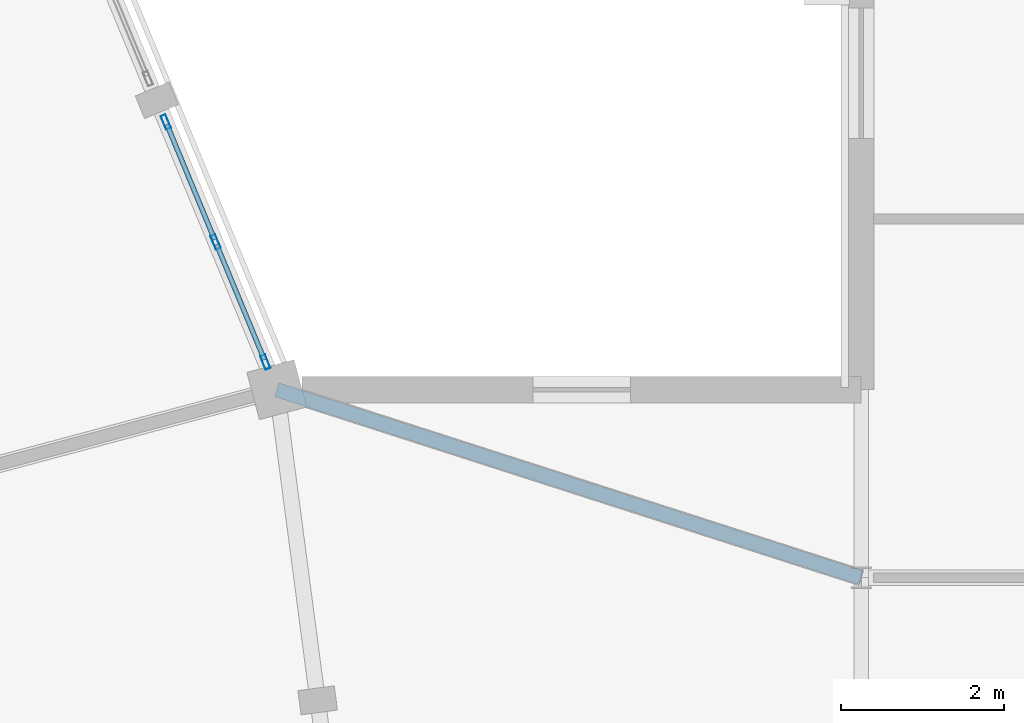
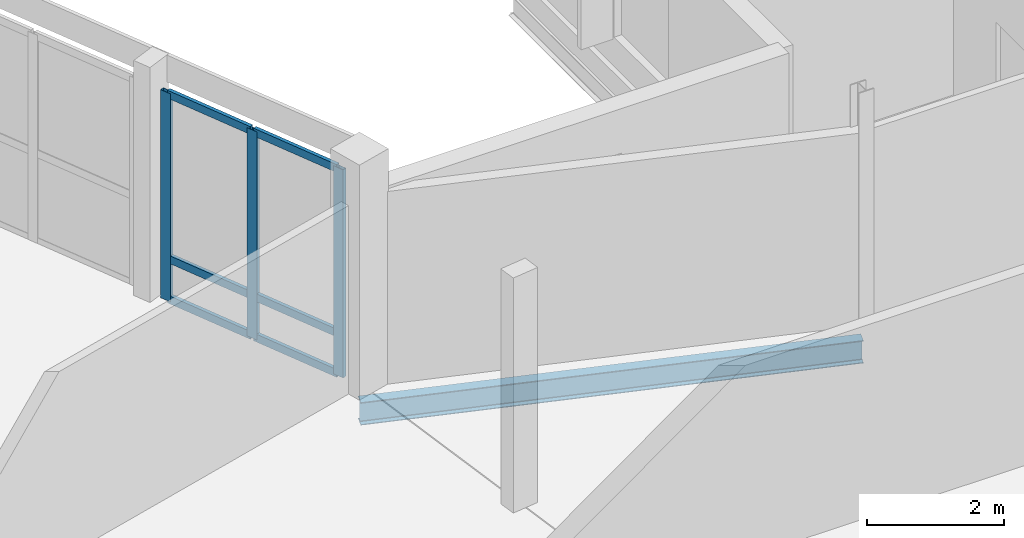
# One storey, part 113 of 170: 9 members, 1 beam, 1 element without a shape of its own.
"""IFC4 building model written with IfcOpenShell, lengths in metres."""

from ifc_helpers import new_model, si_unit, direction, frame, origin, origin_2d, place, context, subcontext, project, spatial, hollow_rectangle, i_section, extrude, material, material_profile, profile_set, type_object, element, aggregate, save


model = new_model("IFC4")

# Units and contexts
model_context = context("Model", 3, precision=1e-05, world=origin(), true_north=direction((0.0, 1.0)))
body_context = subcontext(model_context, "Body", "Model", "MODEL_VIEW")
ifc_project = project(units=[si_unit("LENGTHUNIT", "METRE"), si_unit("AREAUNIT", "SQUARE_METRE"), si_unit("VOLUMEUNIT", "CUBIC_METRE"), si_unit("PLANEANGLEUNIT", "RADIAN"), si_unit("MASSUNIT", "GRAM", prefix="KILO")], contexts=[model_context])

# Site, building, storey
site_placement = place(None, origin())
site = spatial("IfcSite", under=ifc_project, at=site_placement, CompositionType="ELEMENT")
building_placement = place(site_placement, origin())
building = spatial("IfcBuilding", under=site, at=building_placement, Name="Vondelvale Polytechnic", CompositionType="ELEMENT")
storey_placement = place(building_placement, frame((0.0, 0.0, 5.39990234375)))
storey = spatial("IfcBuildingStorey", under=building, at=storey_placement, Name="L01", CompositionType="ELEMENT", Elevation=5.39990234375)

# Beam
ifc_material_1 = material(Name="Steel 300PLUS (fy = 300 MPa)", Category="steel")
ifc_material_profile_1 = material_profile(ifc_material_1, i_section(OverallWidth=0.177978515625, OverallDepth=0.406005859375, WebThickness=0.0078125, FlangeThickness=0.0126953125, FilletRadius=0.011474609375, at=origin_2d()), Name="410UB59.7")
ifc_profile_set_1 = profile_set([ifc_material_profile_1], Name="Steel 300PLUS (fy = 300 MPa)")
beam_type = type_object("IfcBeamType", Name="BM-UB410", PredefinedType="BEAM", material=ifc_profile_set_1)
beam_placement = place(storey_placement, frame((146.4326171875, 83.90576171875, -0.48291015625), z_axis=(0.951957686255, -0.306229592921, 0.0), x_axis=(0.306229592921, 0.951957686255, 0.0)))
element("IfcBeam", 1, at=beam_placement, inside=storey, type_object=beam_type, Name="L01 B B-14", PredefinedType="BEAM", context=body_context, shape_type="SweptSolid", body=[
    extrude(i_section(OverallWidth=0.177978515625, OverallDepth=0.406005859375, WebThickness=0.0078125, FlangeThickness=0.0126953125, FilletRadius=0.011474609375, at=origin_2d()), origin(), (0.0, 0.0, 1.0), 7.529296875),
])

# Curtain wall, members
ifc_material_2 = material(Name="Glulam GL18 structural Tasmanian oak (fb = 42 MPa)", Category="wood")
curtain_wall_type = type_object("IfcCurtainWallType", Name="CW-RING-OUTER", PredefinedType="NOTDEFINED", material=ifc_material_2)
curtain_wall_placement = place(storey_placement, origin())
curtain_wall = element("IfcCurtainWall", 2, at=curtain_wall_placement, inside=storey, type_object=curtain_wall_type, Name="L01 architectural curtain wall CW-04-078", PredefinedType="NOTDEFINED")
ifc_material_3 = material(Name="Anodised extruded aluminium 6063-T6", Category="aluminium")
ifc_material_profile_2 = material_profile(ifc_material_3, hollow_rectangle(XDim=0.06494140625, YDim=0.179931640625, WallThickness=0.00390625, at=origin_2d()), Name="CW-MUL-180x65")
ifc_profile_set_2 = profile_set([ifc_material_profile_2], Name="Anodised extruded aluminium 6063-T6")
member_type_1 = type_object("IfcMemberType", Name="CW-MUL-65x180", PredefinedType="MULLION", material=ifc_profile_set_2)
member_1_placement = place(storey_placement, frame((146.29296875, 84.2431640625, 0.0), z_axis=(0.0, 0.0, 1.0), x_axis=(-0.923882033442, -0.382677394529, 0.0)))
member_1 = element("IfcMember", 3, at=member_1_placement, type_object=member_type_1, Name="CW-04-078 mullion 1", PredefinedType="MULLION", context=body_context, shape_type="SweptSolid", body=[
    extrude(hollow_rectangle(XDim=0.06494140625, YDim=0.179931640625, WallThickness=0.00390625, at=origin_2d()), origin(), (0.0, 0.0, 1.0), 3.72021484375),
])
member_2_placement = place(storey_placement, frame((145.6826171875, 85.716796875, 0.0), z_axis=(0.0, 0.0, 1.0), x_axis=(-0.923882033442, -0.382677394529, 0.0)))
member_2 = element("IfcMember", 4, at=member_2_placement, type_object=member_type_1, Name="CW-04-078 mullion 2", PredefinedType="MULLION", context=body_context, shape_type="SweptSolid", body=[
    extrude(hollow_rectangle(XDim=0.06494140625, YDim=0.179931640625, WallThickness=0.00390625, at=origin_2d()), origin(), (0.0, 0.0, 1.0), 3.72021484375),
])
member_3_placement = place(storey_placement, frame((145.072021484375, 87.190185546875, 0.0), z_axis=(0.0, 0.0, 1.0), x_axis=(-0.923882033442, -0.382677394529, 0.0)))
member_3 = element("IfcMember", 5, at=member_3_placement, type_object=member_type_1, Name="CW-04-078 mullion 3", PredefinedType="MULLION", context=body_context, shape_type="SweptSolid", body=[
    extrude(hollow_rectangle(XDim=0.06494140625, YDim=0.179931640625, WallThickness=0.00390625, at=origin_2d()), origin(), (0.0, 0.0, 1.0), 3.72021484375),
])
ifc_material_profile_3 = material_profile(ifc_material_3, hollow_rectangle(XDim=0.06005859375, YDim=0.139892578125, WallThickness=0.00341796875, at=origin_2d()), Name="CW-TRN-140x60")
ifc_profile_set_3 = profile_set([ifc_material_profile_3], Name="Anodised extruded aluminium 6063-T6")
member_type_2 = type_object("IfcMemberType", Name="CW-TRN-60x140", PredefinedType="USERDEFINED", material=ifc_profile_set_3)
member_4_placement = place(storey_placement, frame((146.280517578125, 84.273193359375, 0.030029296875), z_axis=(-0.382779237206, 0.923839843027, 0.0), x_axis=(-0.923839843027, -0.382779237206, 0.0)))
member_4 = element("IfcMember", 6, at=member_4_placement, type_object=member_type_2, Name="CW-04-078 transom 1.1", ObjectType="TRANSOM", PredefinedType="USERDEFINED", context=body_context, shape_type="SweptSolid", body=[
    extrude(hollow_rectangle(XDim=0.06005859375, YDim=0.139892578125, WallThickness=0.00341796875, at=origin_2d()), origin(), (0.0, 0.0, 1.0), 1.530029296875),
])
member_5_placement = place(storey_placement, frame((146.280517578125, 84.273193359375, 0.75), z_axis=(-0.382779237206, 0.923839843027, 0.0), x_axis=(-0.923839843027, -0.382779237206, 0.0)))
member_5 = element("IfcMember", 7, at=member_5_placement, type_object=member_type_2, Name="CW-04-078 transom 1.2", ObjectType="TRANSOM", PredefinedType="USERDEFINED", context=body_context, shape_type="SweptSolid", body=[
    extrude(hollow_rectangle(XDim=0.06005859375, YDim=0.139892578125, WallThickness=0.00341796875, at=origin_2d()), origin(), (0.0, 0.0, 1.0), 1.530029296875),
])
member_6_placement = place(storey_placement, frame((146.280517578125, 84.273193359375, 3.690185546875), z_axis=(-0.382779237206, 0.923839843027, 0.0), x_axis=(-0.923839843027, -0.382779237206, 0.0)))
member_6 = element("IfcMember", 8, at=member_6_placement, type_object=member_type_2, Name="CW-04-078 transom 1.3", ObjectType="TRANSOM", PredefinedType="USERDEFINED", context=body_context, shape_type="SweptSolid", body=[
    extrude(hollow_rectangle(XDim=0.06005859375, YDim=0.139892578125, WallThickness=0.00341796875, at=origin_2d()), origin(), (0.0, 0.0, 1.0), 1.530029296875),
])
member_7_placement = place(storey_placement, frame((145.670166015625, 85.746826171875, 0.030029296875), z_axis=(-0.382835668721, 0.923816459452, 0.0), x_axis=(-0.923816459452, -0.382835668721, 0.0)))
member_7 = element("IfcMember", 9, at=member_7_placement, type_object=member_type_2, Name="CW-04-078 transom 2.1", ObjectType="TRANSOM", PredefinedType="USERDEFINED", context=body_context, shape_type="SweptSolid", body=[
    extrude(hollow_rectangle(XDim=0.06005859375, YDim=0.139892578125, WallThickness=0.00341796875, at=origin_2d()), origin(), (0.0, 0.0, 1.0), 1.52978515625),
])
member_8_placement = place(storey_placement, frame((145.670166015625, 85.746826171875, 0.75), z_axis=(-0.382835668721, 0.923816459452, 0.0), x_axis=(-0.923816459452, -0.382835668721, 0.0)))
member_8 = element("IfcMember", 10, at=member_8_placement, type_object=member_type_2, Name="CW-04-078 transom 2.2", ObjectType="TRANSOM", PredefinedType="USERDEFINED", context=body_context, shape_type="SweptSolid", body=[
    extrude(hollow_rectangle(XDim=0.06005859375, YDim=0.139892578125, WallThickness=0.00341796875, at=origin_2d()), origin(), (0.0, 0.0, 1.0), 1.52978515625),
])
member_9_placement = place(storey_placement, frame((145.670166015625, 85.746826171875, 3.690185546875), z_axis=(-0.382835668721, 0.923816459452, 0.0), x_axis=(-0.923816459452, -0.382835668721, 0.0)))
member_9 = element("IfcMember", 11, at=member_9_placement, type_object=member_type_2, Name="CW-04-078 transom 2.3", ObjectType="TRANSOM", PredefinedType="USERDEFINED", context=body_context, shape_type="SweptSolid", body=[
    extrude(hollow_rectangle(XDim=0.06005859375, YDim=0.139892578125, WallThickness=0.00341796875, at=origin_2d()), origin(), (0.0, 0.0, 1.0), 1.52978515625),
])
aggregate(curtain_wall, [member_1, member_2, member_3, member_4, member_5, member_6, member_7, member_8, member_9])

save(model, "model.ifc")
